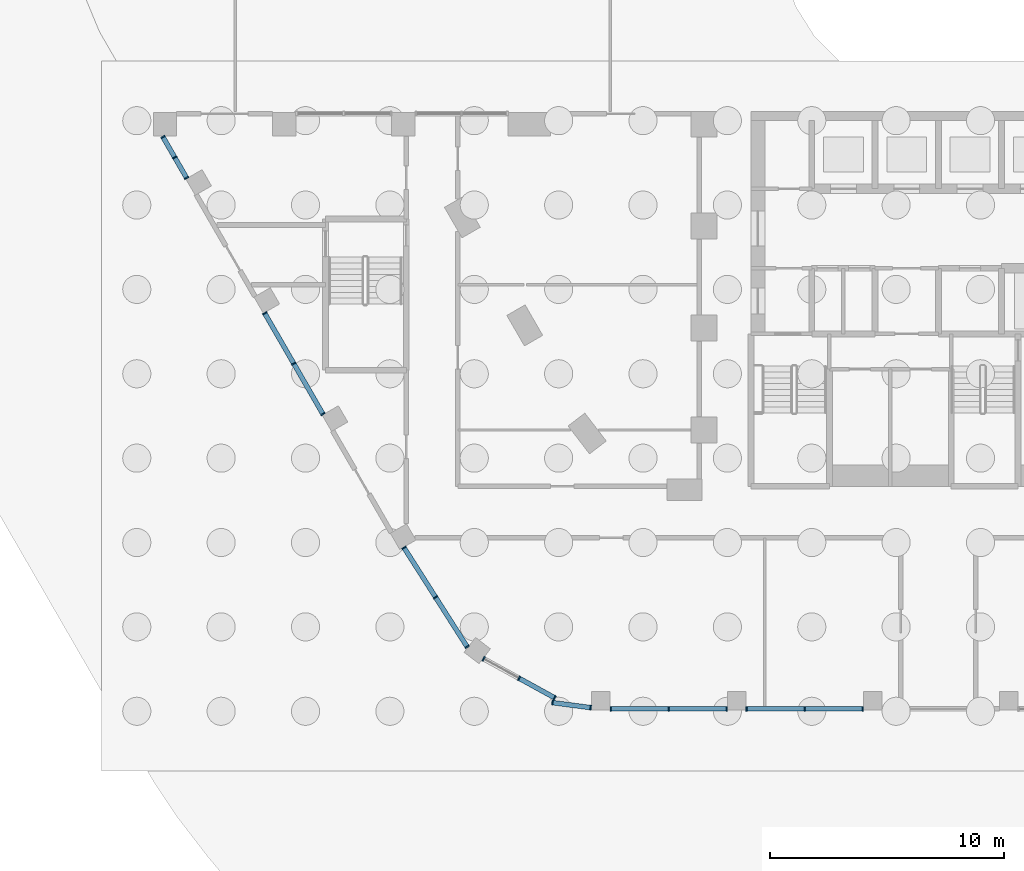
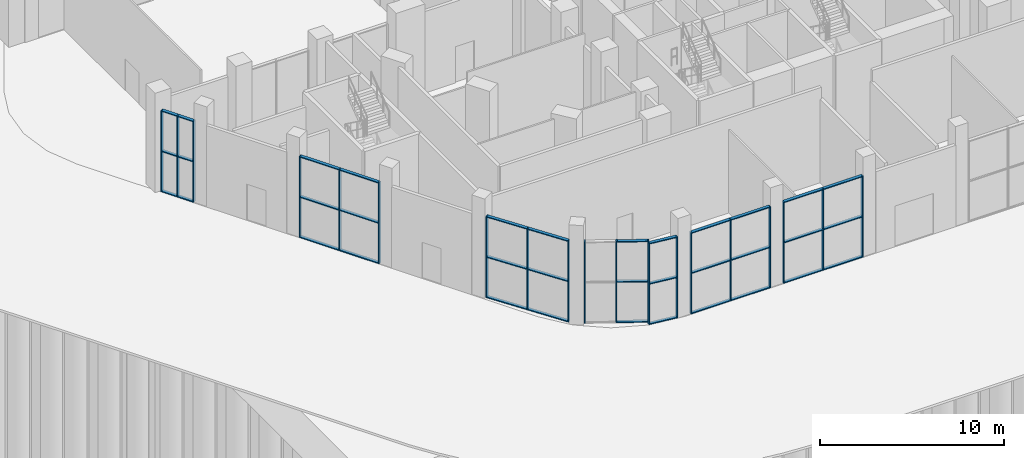
# One storey, part 8 of 44: 56 members, 7 elements without a shape of their own.
"""IFC4 building model written with IfcOpenShell, lengths in metres."""

import ifcopenshell
import ifcopenshell.guid

model = None  # the IFC model being written
_history = None  # IfcOwnerHistory: only IFC2X3 demands one
_inside = {}  # id of a spatial element -> (the spatial element, [elements in it])
_under = {}  # id of a project, library or spatial element -> (it, [spatial elements below it])
_declared = {}  # id of a project -> (the project, [libraries it declares])
_typed = {}  # id of a type object -> (the type object, [elements of that type])
_made_of = {}  # id of a material, layer set ... -> (it, [elements and type objects made of it])


def new_model(schema):
    """Start an empty IFC model of exactly this schema.

    Asked for "IFC4X3", IfcOpenShell would pick the latest addendum, in which some entities
    have other attributes; the version numbers below select the first issue.
    IFC2X3 requires an IfcOwnerHistory on every rooted entity: one is made here for all.
    """
    global model, _history
    if schema == "IFC4X3":
        model = ifcopenshell.file(schema_version=(4, 3, 0, 0))
    else:
        model = ifcopenshell.file(schema=schema)
    _inside.clear()
    _under.clear()
    _declared.clear()
    _typed.clear()
    _made_of.clear()
    _history = None
    if model.schema == "IFC2X3":
        org = make("IfcOrganization", Name="unknown")
        user = make(
            "IfcPersonAndOrganization",
            ThePerson=make("IfcPerson", FamilyName="unknown"),
            TheOrganization=org,
        )
        app = make(
            "IfcApplication",
            ApplicationDeveloper=org,
            Version="unknown",
            ApplicationFullName="unknown",
            ApplicationIdentifier="unknown",
        )
        _history = make(
            "IfcOwnerHistory",
            OwningUser=user,
            OwningApplication=app,
            ChangeAction="ADDED",
            CreationDate=0,
        )
    return model


def make(cls, **values):
    """One entity of the class cls with the attributes given. An attribute that is None is left unset."""
    return model.create_entity(
        cls, **{name: value for name, value in values.items() if value is not None}
    )


def rooted(cls, **values):
    """An entity with a GlobalId (a new one), such as an element, a storey or a relation."""
    return make(cls, GlobalId=ifcopenshell.guid.new(), OwnerHistory=_history, **values)


def si_unit(unit_type, name, prefix=None):
    """IfcSIUnit, for example si_unit("LENGTHUNIT", "METRE", prefix="MILLI")."""
    return make("IfcSIUnit", UnitType=unit_type, Prefix=prefix, Name=name)


def assignment(units):
    """IfcUnitAssignment: the units of a project."""
    return None if units is None else make("IfcUnitAssignment", Units=units)


def point(xyz):
    """IfcCartesianPoint."""
    return None if xyz is None else make("IfcCartesianPoint", Coordinates=xyz)


def direction(xyz):
    """IfcDirection."""
    return None if xyz is None else make("IfcDirection", DirectionRatios=xyz)


def frame(location, z_axis=None, x_axis=None):
    """IfcAxis2Placement3D, a coordinate frame: its origin and axes. An axis left out is left unset."""
    return make(
        "IfcAxis2Placement3D",
        Location=point(location),
        Axis=direction(z_axis),
        RefDirection=direction(x_axis),
    )


def frame_2d(location, x_axis=None):
    """IfcAxis2Placement2D, a coordinate frame in the plane: its origin and x axis."""
    return make(
        "IfcAxis2Placement2D", Location=point(location), RefDirection=direction(x_axis)
    )


def origin():
    """The frame at (0, 0, 0) with its axes left unset."""
    return frame((0.0, 0.0, 0.0))


def origin_2d():
    """The frame at (0, 0) in the plane with its x axis left unset."""
    return frame_2d((0.0, 0.0))


def place(relative_to, where):
    """IfcLocalPlacement: puts the frame where relative to a parent placement (None: the world)."""
    return make(
        "IfcLocalPlacement", PlacementRelTo=relative_to, RelativePlacement=where
    )


def context(
    kind, dimensions, precision=None, world=None, true_north=None, identifier=None
):
    """IfcGeometricRepresentationContext, for example the 3D "Model" context."""
    return make(
        "IfcGeometricRepresentationContext",
        ContextIdentifier=identifier,
        ContextType=kind,
        CoordinateSpaceDimension=dimensions,
        Precision=precision,
        WorldCoordinateSystem=world,
        TrueNorth=true_north,
    )


def subcontext(parent, identifier, kind, view, scale=None):
    """IfcGeometricRepresentationSubContext, for example "Body" below "Model"."""
    return make(
        "IfcGeometricRepresentationSubContext",
        ContextIdentifier=identifier,
        ContextType=kind,
        ParentContext=parent,
        TargetScale=scale,
        TargetView=view,
    )


def project(units=None, contexts=None):
    """IfcProject with its units and contexts."""
    return rooted(
        "IfcProject",
        Name="project",
        RepresentationContexts=contexts,
        UnitsInContext=assignment(units),
    )


def spatial(cls, under=None, at=None, **own):
    """A site, building, storey or space (cls), placed at a placement, below another one or the project."""
    s = rooted(cls, ObjectPlacement=at, **own)
    if under is not None:
        _under.setdefault(under.id(), (under, []))[1].append(s)
    return s


def profile(cls, at=None, kind="AREA", **sizes):
    """A parametric profile (cls). Its sizes go by their IFC names, for example OverallWidth=200.0."""
    return make(cls, ProfileType=kind, Position=at, **sizes)


def rectangle(**sizes):
    """IfcRectangleProfileDef."""
    return profile("IfcRectangleProfileDef", **sizes)


def extrude(swept, where, along, depth):
    """IfcExtrudedAreaSolid: the profile swept, set in the frame where, extruded along a direction by depth."""
    return make(
        "IfcExtrudedAreaSolid",
        SweptArea=swept,
        Position=where,
        ExtrudedDirection=direction(along),
        Depth=depth,
    )


def shape(context_of_items, identifier, shape_type, items):
    """IfcShapeRepresentation: the items that make up one representation, for example the "Body"."""
    return make(
        "IfcShapeRepresentation",
        ContextOfItems=context_of_items,
        RepresentationIdentifier=identifier,
        RepresentationType=shape_type,
        Items=items,
    )


def material(Name=None, Category=None):
    """IfcMaterial."""
    return make("IfcMaterial", Name=Name, Category=Category)


def layer(
    of_material, thickness, ventilated=None, Name=None, Category=None, Priority=None
):
    """IfcMaterialLayer: one layer of a wall or slab, of a material (None: an air gap)."""
    return make(
        "IfcMaterialLayer",
        Material=of_material,
        LayerThickness=thickness,
        IsVentilated=ventilated,
        Name=Name,
        Category=Category,
        Priority=Priority,
    )


def layer_set(layers, Name=None):
    """IfcMaterialLayerSet."""
    return make("IfcMaterialLayerSet", MaterialLayers=layers, LayerSetName=Name)


def material_profile(
    of_material, cross_section, Name=None, Category=None, Priority=None
):
    """IfcMaterialProfile: a cross section and its material."""
    return make(
        "IfcMaterialProfile",
        Name=Name,
        Material=of_material,
        Profile=cross_section,
        Priority=Priority,
        Category=Category,
    )


def profile_set(profiles, Name=None, composite=None):
    """IfcMaterialProfileSet."""
    return make(
        "IfcMaterialProfileSet",
        Name=Name,
        MaterialProfiles=profiles,
        CompositeProfile=composite,
    )


def made_of(thing, what):
    """Note that an element or type object is made of a material, layer set ...; save() writes the relation."""
    if what is not None:
        _made_of.setdefault(what.id(), (what, []))[1].append(thing)
    return thing


def type_object(cls, material=None, **own):
    """A type object (cls), such as IfcWallType, which elements share."""
    return made_of(rooted(cls, **own), material)


def element(
    cls,
    number,
    at=None,
    inside=None,
    cuts=None,
    type_object=None,
    material=None,
    context=None,
    identifier="Body",
    shape_type=None,
    held_by="IfcProductDefinitionShape",
    body=None,
    shapes=None,
    **own,
):
    """One element of the class cls, such as IfcWall. Its Tag is "e" and its number.

    at: its placement. inside: the storey or other place that contains it. cuts: it is an
    opening in that element (IfcRelVoidsElement). A single representation is given by context,
    identifier, shape_type and body (its items); several are given by shapes. held_by: the class
    of the entity that holds the representations. save() writes the other relations.
    """
    e = rooted(cls, Tag="e%d" % number, ObjectPlacement=at, **own)
    if body is not None:
        shapes = [shape(context, identifier, shape_type, body)]
    if shapes is not None:
        e.Representation = make(held_by, Representations=shapes)
    if inside is not None:
        _inside.setdefault(inside.id(), (inside, []))[1].append(e)
    if cuts is not None:
        rooted(
            "IfcRelVoidsElement", RelatingBuildingElement=cuts, RelatedOpeningElement=e
        )
    if type_object is not None:
        _typed.setdefault(type_object.id(), (type_object, []))[1].append(e)
    return made_of(e, material)


def aggregate(whole, parts):
    """IfcRelAggregates: a whole, such as a stair, and the parts it consists of."""
    return rooted("IfcRelAggregates", RelatingObject=whole, RelatedObjects=parts)


def save(model, path):
    """Write the relations noted so far, then the file.

    IfcRelAggregates (storeys below a building ...), IfcRelContainedInSpatialStructure (elements
    in a storey), IfcRelDefinesByType, IfcRelAssociatesMaterial and IfcRelDeclares: one each for
    every whole, place, type object, material and project.
    """
    for whole, parts in _under.values():
        aggregate(whole, parts)
    for where, things in _inside.values():
        rooted(
            "IfcRelContainedInSpatialStructure",
            RelatedElements=things,
            RelatingStructure=where,
        )
    for kind, things in _typed.values():
        rooted("IfcRelDefinesByType", RelatedObjects=things, RelatingType=kind)
    for what, things in _made_of.values():
        rooted("IfcRelAssociatesMaterial", RelatedObjects=things, RelatingMaterial=what)
    for by, libraries in _declared.values():
        rooted("IfcRelDeclares", RelatingContext=by, RelatedDefinitions=libraries)
    model.write(path)


model = new_model("IFC4")

# Units and contexts
model_context = context("Model", 3, precision=1e-05, world=origin(), true_north=direction((0.0, 1.0)))
body_context = subcontext(model_context, "Body", "Model", "MODEL_VIEW")
ifc_project = project(units=[si_unit("LENGTHUNIT", "METRE"), si_unit("AREAUNIT", "SQUARE_METRE"), si_unit("VOLUMEUNIT", "CUBIC_METRE"), si_unit("PLANEANGLEUNIT", "RADIAN"), si_unit("MASSUNIT", "GRAM", prefix="KILO")], contexts=[model_context])

# Site, building, storey
site_placement = place(None, origin())
site = spatial("IfcSite", under=ifc_project, at=site_placement, CompositionType="ELEMENT")
building_placement = place(site_placement, origin())
building = spatial("IfcBuilding", under=site, at=building_placement, Name="Nakaniwa Court", CompositionType="ELEMENT")
storey_placement = place(building_placement, origin())
storey = spatial("IfcBuildingStorey", under=building, at=storey_placement, Name="L00", CompositionType="ELEMENT", Elevation=0.0)

# Curtain wall, members
ifc_material_1 = material(Name="Black anodised aluminium frame with dark low-E laminated double glazing", Category="aluminium")
ifc_layer = layer(ifc_material_1, 0.199951171875)
ifc_layer_set = layer_set([ifc_layer], Name="Black anodised aluminium frame with dark low-E laminated double glazing")
curtain_wall_type = type_object("IfcCurtainWallType", Name="Concourse stick curtain wall", PredefinedType="NOTDEFINED", material=ifc_layer_set)
curtain_wall_1_placement = place(storey_placement, origin())
curtain_wall_1 = element("IfcCurtainWall", 1, at=curtain_wall_1_placement, inside=storey, type_object=curtain_wall_type, Name="L00 curtain wall CW2 12", PredefinedType="NOTDEFINED")
ifc_material_2 = material(Name="Black anodised aluminium extrusion", Category="aluminium")
ifc_material_profile_1 = material_profile(ifc_material_2, rectangle(XDim=0.199951171875, YDim=0.06005859375, at=origin_2d()), Name="Concourse stick curtain wall mullion 60x200")
ifc_profile_set_1 = profile_set([ifc_material_profile_1], Name="Black anodised aluminium extrusion")
member_type_1 = type_object("IfcMemberType", Name="Concourse stick curtain wall mullion 60x200", PredefinedType="MULLION", material=ifc_profile_set_1)
member_1_placement = place(storey_placement, frame((46.91650390625, 71.50244140625, 0.0), z_axis=(0.0, 0.0, 1.0), x_axis=(0.866035619435, 0.499982305557, 0.0)))
member_1 = element("IfcMember", 2, at=member_1_placement, type_object=member_type_1, Name="CW2 mullion 1", PredefinedType="MULLION", context=body_context, shape_type="SweptSolid", body=[
    extrude(rectangle(XDim=0.199951171875, YDim=0.06005859375, at=origin_2d()), origin(), (0.0, 0.0, 1.0), 5.39990234375),
])
member_2_placement = place(storey_placement, frame((47.42041015625, 70.62939453125, 0.0), z_axis=(0.0, 0.0, 1.0), x_axis=(0.866035619435, 0.499982305557, 0.0)))
member_2 = element("IfcMember", 3, at=member_2_placement, type_object=member_type_1, Name="CW2 mullion 2", PredefinedType="MULLION", context=body_context, shape_type="SweptSolid", body=[
    extrude(rectangle(XDim=0.199951171875, YDim=0.06005859375, at=origin_2d()), origin(), (0.0, 0.0, 1.0), 5.39990234375),
])
member_3_placement = place(storey_placement, frame((47.924560546875, 69.756103515625, 0.0), z_axis=(0.0, 0.0, 1.0), x_axis=(0.866035619435, 0.499982305557, 0.0)))
member_3 = element("IfcMember", 4, at=member_3_placement, type_object=member_type_1, Name="CW2 mullion 3", PredefinedType="MULLION", context=body_context, shape_type="SweptSolid", body=[
    extrude(rectangle(XDim=0.199951171875, YDim=0.06005859375, at=origin_2d()), origin(), (0.0, 0.0, 1.0), 5.39990234375),
])

curtain_wall_2_placement = place(storey_placement, origin())
curtain_wall_2 = element("IfcCurtainWall", 5, at=curtain_wall_2_placement, inside=storey, type_object=curtain_wall_type, Name="L00 curtain wall CW2 14", PredefinedType="NOTDEFINED")
member_4_placement = place(storey_placement, frame((51.259033203125, 63.98095703125, 0.0), z_axis=(0.0, 0.0, 1.0), x_axis=(0.866033799918, 0.499985457189, 0.0)))
member_4 = element("IfcMember", 6, at=member_4_placement, type_object=member_type_1, Name="CW2 mullion 1", PredefinedType="MULLION", context=body_context, shape_type="SweptSolid", body=[
    extrude(rectangle(XDim=0.199951171875, YDim=0.06005859375, at=origin_2d()), origin(), (0.0, 0.0, 1.0), 5.39990234375),
])
member_5_placement = place(storey_placement, frame((52.500244140625, 61.8310546875, 0.0), z_axis=(0.0, 0.0, 1.0), x_axis=(0.866033799918, 0.499985457189, 0.0)))
member_5 = element("IfcMember", 7, at=member_5_placement, type_object=member_type_1, Name="CW2 mullion 2", PredefinedType="MULLION", context=body_context, shape_type="SweptSolid", body=[
    extrude(rectangle(XDim=0.199951171875, YDim=0.06005859375, at=origin_2d()), origin(), (0.0, 0.0, 1.0), 5.39990234375),
])
member_6_placement = place(storey_placement, frame((53.7412109375, 59.681396484375, 0.0), z_axis=(0.0, 0.0, 1.0), x_axis=(0.866033799918, 0.499985457189, 0.0)))
member_6 = element("IfcMember", 8, at=member_6_placement, type_object=member_type_1, Name="CW2 mullion 3", PredefinedType="MULLION", context=body_context, shape_type="SweptSolid", body=[
    extrude(rectangle(XDim=0.199951171875, YDim=0.06005859375, at=origin_2d()), origin(), (0.0, 0.0, 1.0), 5.39990234375),
])

curtain_wall_3_placement = place(storey_placement, origin())
curtain_wall_3 = element("IfcCurtainWall", 9, at=curtain_wall_3_placement, inside=storey, type_object=curtain_wall_type, Name="L00 curtain wall CW2 16", PredefinedType="NOTDEFINED")
member_7_placement = place(storey_placement, frame((57.203369140625, 53.97705078125, 0.0), z_axis=(0.0, 0.0, 1.0), x_axis=(0.843438100676, 0.537226367864, 0.0)))
member_7 = element("IfcMember", 10, at=member_7_placement, type_object=member_type_1, Name="CW2 mullion 1", PredefinedType="MULLION", context=body_context, shape_type="SweptSolid", body=[
    extrude(rectangle(XDim=0.199951171875, YDim=0.06005859375, at=origin_2d()), origin(), (0.0, 0.0, 1.0), 5.39990234375),
])
member_8_placement = place(storey_placement, frame((58.54931640625, 51.864013671875, 0.0), z_axis=(0.0, 0.0, 1.0), x_axis=(0.843438100676, 0.537226367864, 0.0)))
member_8 = element("IfcMember", 11, at=member_8_placement, type_object=member_type_1, Name="CW2 mullion 2", PredefinedType="MULLION", context=body_context, shape_type="SweptSolid", body=[
    extrude(rectangle(XDim=0.199951171875, YDim=0.06005859375, at=origin_2d()), origin(), (0.0, 0.0, 1.0), 5.39990234375),
])
member_9_placement = place(storey_placement, frame((59.895263671875, 49.7509765625, 0.0), z_axis=(0.0, 0.0, 1.0), x_axis=(0.843438100676, 0.537226367864, 0.0)))
member_9 = element("IfcMember", 12, at=member_9_placement, type_object=member_type_1, Name="CW2 mullion 3", PredefinedType="MULLION", context=body_context, shape_type="SweptSolid", body=[
    extrude(rectangle(XDim=0.199951171875, YDim=0.06005859375, at=origin_2d()), origin(), (0.0, 0.0, 1.0), 5.39990234375),
])

curtain_wall_4_placement = place(storey_placement, origin())
curtain_wall_4 = element("IfcCurtainWall", 13, at=curtain_wall_4_placement, inside=storey, type_object=curtain_wall_type, Name="L00 curtain wall CW2 17", PredefinedType="NOTDEFINED")
member_10_placement = place(storey_placement, frame((60.602783203125, 49.236328125, 0.0), z_axis=(0.0, 0.0, 1.0), x_axis=(0.481424452617, 0.87648759057, 0.0)))
member_10 = element("IfcMember", 14, at=member_10_placement, type_object=member_type_1, Name="CW2 mullion 1", PredefinedType="MULLION", context=body_context, shape_type="SweptSolid", body=[
    extrude(rectangle(XDim=0.199951171875, YDim=0.06005859375, at=origin_2d()), origin(), (0.0, 0.0, 1.0), 5.39990234375),
])
member_11_placement = place(storey_placement, frame((62.115234375, 48.405517578125, 0.0), z_axis=(0.0, 0.0, 1.0), x_axis=(0.481424452617, 0.87648759057, 0.0)))
member_11 = element("IfcMember", 15, at=member_11_placement, type_object=member_type_1, Name="CW2 mullion 2", PredefinedType="MULLION", context=body_context, shape_type="SweptSolid", body=[
    extrude(rectangle(XDim=0.199951171875, YDim=0.06005859375, at=origin_2d()), origin(), (0.0, 0.0, 1.0), 5.39990234375),
])
member_12_placement = place(storey_placement, frame((63.62744140625, 47.574951171875, 0.0), z_axis=(0.0, 0.0, 1.0), x_axis=(0.481424452617, 0.87648759057, 0.0)))
member_12 = element("IfcMember", 16, at=member_12_placement, type_object=member_type_1, Name="CW2 mullion 3", PredefinedType="MULLION", context=body_context, shape_type="SweptSolid", body=[
    extrude(rectangle(XDim=0.199951171875, YDim=0.06005859375, at=origin_2d()), origin(), (0.0, 0.0, 1.0), 5.39990234375),
])

curtain_wall_5_placement = place(storey_placement, origin())
curtain_wall_5 = element("IfcCurtainWall", 17, at=curtain_wall_5_placement, inside=storey, type_object=curtain_wall_type, Name="L00 curtain wall CW2 18", PredefinedType="NOTDEFINED")
member_13_placement = place(storey_placement, frame((63.53857421875, 47.36767578125, 0.0), z_axis=(0.0, 0.0, 1.0), x_axis=(0.13055195785, 0.991441468924, 0.0)))
member_13 = element("IfcMember", 18, at=member_13_placement, type_object=member_type_1, Name="CW2 mullion 1", PredefinedType="MULLION", context=body_context, shape_type="SweptSolid", body=[
    extrude(rectangle(XDim=0.199951171875, YDim=0.06005859375, at=origin_2d()), origin(), (0.0, 0.0, 1.0), 5.39990234375),
])
member_14_placement = place(storey_placement, frame((65.16357421875, 47.15380859375, 0.0), z_axis=(0.0, 0.0, 1.0), x_axis=(0.13055195785, 0.991441468924, 0.0)))
member_14 = element("IfcMember", 19, at=member_14_placement, type_object=member_type_1, Name="CW2 mullion 2", PredefinedType="MULLION", context=body_context, shape_type="SweptSolid", body=[
    extrude(rectangle(XDim=0.199951171875, YDim=0.06005859375, at=origin_2d()), origin(), (0.0, 0.0, 1.0), 5.39990234375),
])

curtain_wall_6_placement = place(storey_placement, origin())
curtain_wall_6 = element("IfcCurtainWall", 20, at=curtain_wall_6_placement, inside=storey, type_object=curtain_wall_type, Name="L00 curtain wall CW2 19", PredefinedType="NOTDEFINED")
member_15_placement = place(storey_placement, frame((66.021728515625, 47.10009765625, 0.0), z_axis=(0.0, 0.0, 1.0), x_axis=(0.0, 1.0, 0.0)))
member_15 = element("IfcMember", 21, at=member_15_placement, type_object=member_type_1, Name="CW2 mullion 1", PredefinedType="MULLION", context=body_context, shape_type="SweptSolid", body=[
    extrude(rectangle(XDim=0.199951171875, YDim=0.06005859375, at=origin_2d()), origin(), (0.0, 0.0, 1.0), 5.39990234375),
])
member_16_placement = place(storey_placement, frame((68.496826171875, 47.10009765625, 0.0), z_axis=(0.0, 0.0, 1.0), x_axis=(0.0, 1.0, 0.0)))
member_16 = element("IfcMember", 22, at=member_16_placement, type_object=member_type_1, Name="CW2 mullion 2", PredefinedType="MULLION", context=body_context, shape_type="SweptSolid", body=[
    extrude(rectangle(XDim=0.199951171875, YDim=0.06005859375, at=origin_2d()), origin(), (0.0, 0.0, 1.0), 5.39990234375),
])
member_17_placement = place(storey_placement, frame((70.971923828125, 47.10009765625, 0.0), z_axis=(0.0, 0.0, 1.0), x_axis=(0.0, 1.0, 0.0)))
member_17 = element("IfcMember", 23, at=member_17_placement, type_object=member_type_1, Name="CW2 mullion 3", PredefinedType="MULLION", context=body_context, shape_type="SweptSolid", body=[
    extrude(rectangle(XDim=0.199951171875, YDim=0.06005859375, at=origin_2d()), origin(), (0.0, 0.0, 1.0), 5.39990234375),
])

curtain_wall_7_placement = place(storey_placement, origin())
curtain_wall_7 = element("IfcCurtainWall", 24, at=curtain_wall_7_placement, inside=storey, type_object=curtain_wall_type, Name="L00 curtain wall CW2 20", PredefinedType="NOTDEFINED")
member_18_placement = place(storey_placement, frame((71.823974609375, 47.10009765625, 0.0), z_axis=(0.0, 0.0, 1.0), x_axis=(0.0, 1.0, 0.0)))
member_18 = element("IfcMember", 25, at=member_18_placement, type_object=member_type_1, Name="CW2 mullion 1", PredefinedType="MULLION", context=body_context, shape_type="SweptSolid", body=[
    extrude(rectangle(XDim=0.199951171875, YDim=0.06005859375, at=origin_2d()), origin(), (0.0, 0.0, 1.0), 5.39990234375),
])
member_19_placement = place(storey_placement, frame((74.299072265625, 47.10009765625, 0.0), z_axis=(0.0, 0.0, 1.0), x_axis=(0.0, 1.0, 0.0)))
member_19 = element("IfcMember", 26, at=member_19_placement, type_object=member_type_1, Name="CW2 mullion 2", PredefinedType="MULLION", context=body_context, shape_type="SweptSolid", body=[
    extrude(rectangle(XDim=0.199951171875, YDim=0.06005859375, at=origin_2d()), origin(), (0.0, 0.0, 1.0), 5.39990234375),
])
member_20_placement = place(storey_placement, frame((76.7744140625, 47.10009765625, 0.0), z_axis=(0.0, 0.0, 1.0), x_axis=(0.0, 1.0, 0.0)))
member_20 = element("IfcMember", 27, at=member_20_placement, type_object=member_type_1, Name="CW2 mullion 3", PredefinedType="MULLION", context=body_context, shape_type="SweptSolid", body=[
    extrude(rectangle(XDim=0.199951171875, YDim=0.06005859375, at=origin_2d()), origin(), (0.0, 0.0, 1.0), 5.39990234375),
])

# Member
ifc_material_profile_2 = material_profile(ifc_material_2, rectangle(XDim=0.199951171875, YDim=0.06005859375, at=origin_2d()), Name="Concourse stick curtain wall transom 60x200")
ifc_profile_set_2 = profile_set([ifc_material_profile_2], Name="Black anodised aluminium extrusion")
member_type_2 = type_object("IfcMemberType", Name="Concourse stick curtain wall transom 60x200", PredefinedType="USERDEFINED", material=ifc_profile_set_2)
member_21_placement = place(storey_placement, frame((46.931396484375, 71.4765625, 0.030029296875), z_axis=(0.499960165064, -0.866048401274, 0.0), x_axis=(0.866048401274, 0.499960165064, 0.0)))
member_21 = element("IfcMember", 28, at=member_21_placement, type_object=member_type_2, Name="CW2 transom 1.1", ObjectType="TRANSOM", PredefinedType="USERDEFINED", context=body_context, shape_type="SweptSolid", body=[
    extrude(rectangle(XDim=0.199951171875, YDim=0.06005859375, at=origin_2d()), origin(), (0.0, 0.0, 1.0), 0.9482421875),
])

member_22_placement = place(storey_placement, frame((46.931396484375, 71.4765625, 2.699951171875), z_axis=(0.499960165064, -0.866048401274, 0.0), x_axis=(0.866048401274, 0.499960165064, 0.0)))
member_22 = element("IfcMember", 29, at=member_22_placement, type_object=member_type_2, Name="CW2 transom 1.2", ObjectType="TRANSOM", PredefinedType="USERDEFINED", context=body_context, shape_type="SweptSolid", body=[
    extrude(rectangle(XDim=0.199951171875, YDim=0.06005859375, at=origin_2d()), origin(), (0.0, 0.0, 1.0), 0.9482421875),
])

member_23_placement = place(storey_placement, frame((46.931396484375, 71.4765625, 5.3701171875), z_axis=(0.499960165064, -0.866048401274, 0.0), x_axis=(0.866048401274, 0.499960165064, 0.0)))
member_23 = element("IfcMember", 30, at=member_23_placement, type_object=member_type_2, Name="CW2 transom 1.3", ObjectType="TRANSOM", PredefinedType="USERDEFINED", context=body_context, shape_type="SweptSolid", body=[
    extrude(rectangle(XDim=0.199951171875, YDim=0.06005859375, at=origin_2d()), origin(), (0.0, 0.0, 1.0), 0.9482421875),
])

member_24_placement = place(storey_placement, frame((47.435546875, 70.603271484375, 0.030029296875), z_axis=(0.500071657253, -0.865984028497, 0.0), x_axis=(0.865984028497, 0.500071657253, 0.0)))
member_24 = element("IfcMember", 31, at=member_24_placement, type_object=member_type_2, Name="CW2 transom 2.1", ObjectType="TRANSOM", PredefinedType="USERDEFINED", context=body_context, shape_type="SweptSolid", body=[
    extrude(rectangle(XDim=0.199951171875, YDim=0.06005859375, at=origin_2d()), origin(), (0.0, 0.0, 1.0), 0.947998046875),
])

member_25_placement = place(storey_placement, frame((47.435546875, 70.603271484375, 2.699951171875), z_axis=(0.500071657253, -0.865984028497, 0.0), x_axis=(0.865984028497, 0.500071657253, 0.0)))
member_25 = element("IfcMember", 32, at=member_25_placement, type_object=member_type_2, Name="CW2 transom 2.2", ObjectType="TRANSOM", PredefinedType="USERDEFINED", context=body_context, shape_type="SweptSolid", body=[
    extrude(rectangle(XDim=0.199951171875, YDim=0.06005859375, at=origin_2d()), origin(), (0.0, 0.0, 1.0), 0.947998046875),
])

member_26_placement = place(storey_placement, frame((47.435546875, 70.603271484375, 5.3701171875), z_axis=(0.500071657253, -0.865984028497, 0.0), x_axis=(0.865984028497, 0.500071657253, 0.0)))
member_26 = element("IfcMember", 33, at=member_26_placement, type_object=member_type_2, Name="CW2 transom 2.3", ObjectType="TRANSOM", PredefinedType="USERDEFINED", context=body_context, shape_type="SweptSolid", body=[
    extrude(rectangle(XDim=0.199951171875, YDim=0.06005859375, at=origin_2d()), origin(), (0.0, 0.0, 1.0), 0.947998046875),
])

aggregate(curtain_wall_1, [member_1, member_2, member_3, member_21, member_22, member_23, member_24, member_25, member_26])

member_27_placement = place(storey_placement, frame((51.27392578125, 63.954833984375, 0.030029296875), z_axis=(0.500030727772, -0.86600766237, 0.0), x_axis=(0.86600766237, 0.500030727772, 0.0)))
member_27 = element("IfcMember", 34, at=member_27_placement, type_object=member_type_2, Name="CW2 transom 1.1", ObjectType="TRANSOM", PredefinedType="USERDEFINED", context=body_context, shape_type="SweptSolid", body=[
    extrude(rectangle(XDim=0.199951171875, YDim=0.06005859375, at=origin_2d()), origin(), (0.0, 0.0, 1.0), 2.422119140625),
])

member_28_placement = place(storey_placement, frame((51.27392578125, 63.954833984375, 2.699951171875), z_axis=(0.500030727772, -0.86600766237, 0.0), x_axis=(0.86600766237, 0.500030727772, 0.0)))
member_28 = element("IfcMember", 35, at=member_28_placement, type_object=member_type_2, Name="CW2 transom 1.2", ObjectType="TRANSOM", PredefinedType="USERDEFINED", context=body_context, shape_type="SweptSolid", body=[
    extrude(rectangle(XDim=0.199951171875, YDim=0.06005859375, at=origin_2d()), origin(), (0.0, 0.0, 1.0), 2.422119140625),
])

member_29_placement = place(storey_placement, frame((51.27392578125, 63.954833984375, 5.3701171875), z_axis=(0.500030727772, -0.86600766237, 0.0), x_axis=(0.86600766237, 0.500030727772, 0.0)))
member_29 = element("IfcMember", 36, at=member_29_placement, type_object=member_type_2, Name="CW2 transom 1.3", ObjectType="TRANSOM", PredefinedType="USERDEFINED", context=body_context, shape_type="SweptSolid", body=[
    extrude(rectangle(XDim=0.199951171875, YDim=0.06005859375, at=origin_2d()), origin(), (0.0, 0.0, 1.0), 2.422119140625),
])

member_30_placement = place(storey_placement, frame((52.51513671875, 61.80517578125, 0.030029296875), z_axis=(0.499987084801, -0.866032860249, 0.0), x_axis=(0.866032860249, 0.499987084801, 0.0)))
member_30 = element("IfcMember", 37, at=member_30_placement, type_object=member_type_2, Name="CW2 transom 2.1", ObjectType="TRANSOM", PredefinedType="USERDEFINED", context=body_context, shape_type="SweptSolid", body=[
    extrude(rectangle(XDim=0.199951171875, YDim=0.06005859375, at=origin_2d()), origin(), (0.0, 0.0, 1.0), 2.42236328125),
])

member_31_placement = place(storey_placement, frame((52.51513671875, 61.80517578125, 2.699951171875), z_axis=(0.499987084801, -0.866032860249, 0.0), x_axis=(0.866032860249, 0.499987084801, 0.0)))
member_31 = element("IfcMember", 38, at=member_31_placement, type_object=member_type_2, Name="CW2 transom 2.2", ObjectType="TRANSOM", PredefinedType="USERDEFINED", context=body_context, shape_type="SweptSolid", body=[
    extrude(rectangle(XDim=0.199951171875, YDim=0.06005859375, at=origin_2d()), origin(), (0.0, 0.0, 1.0), 2.42236328125),
])

member_32_placement = place(storey_placement, frame((52.51513671875, 61.80517578125, 5.3701171875), z_axis=(0.499987084801, -0.866032860249, 0.0), x_axis=(0.866032860249, 0.499987084801, 0.0)))
member_32 = element("IfcMember", 39, at=member_32_placement, type_object=member_type_2, Name="CW2 transom 2.3", ObjectType="TRANSOM", PredefinedType="USERDEFINED", context=body_context, shape_type="SweptSolid", body=[
    extrude(rectangle(XDim=0.199951171875, YDim=0.06005859375, at=origin_2d()), origin(), (0.0, 0.0, 1.0), 2.42236328125),
])

aggregate(curtain_wall_2, [member_4, member_5, member_6, member_27, member_28, member_29, member_30, member_31, member_32])

member_33_placement = place(storey_placement, frame((57.219482421875, 53.951904296875, 0.030029296875), z_axis=(0.537230752041, -0.843435308166, 0.0), x_axis=(0.843435308166, 0.537230752041, 0.0)))
member_33 = element("IfcMember", 40, at=member_33_placement, type_object=member_type_2, Name="CW2 transom 1.1", ObjectType="TRANSOM", PredefinedType="USERDEFINED", context=body_context, shape_type="SweptSolid", body=[
    extrude(rectangle(XDim=0.199951171875, YDim=0.06005859375, at=origin_2d()), origin(), (0.0, 0.0, 1.0), 2.4453125),
])

member_34_placement = place(storey_placement, frame((57.219482421875, 53.951904296875, 2.699951171875), z_axis=(0.537230752041, -0.843435308166, 0.0), x_axis=(0.843435308166, 0.537230752041, 0.0)))
member_34 = element("IfcMember", 41, at=member_34_placement, type_object=member_type_2, Name="CW2 transom 1.2", ObjectType="TRANSOM", PredefinedType="USERDEFINED", context=body_context, shape_type="SweptSolid", body=[
    extrude(rectangle(XDim=0.199951171875, YDim=0.06005859375, at=origin_2d()), origin(), (0.0, 0.0, 1.0), 2.4453125),
])

member_35_placement = place(storey_placement, frame((57.219482421875, 53.951904296875, 5.3701171875), z_axis=(0.537230752041, -0.843435308166, 0.0), x_axis=(0.843435308166, 0.537230752041, 0.0)))
member_35 = element("IfcMember", 42, at=member_35_placement, type_object=member_type_2, Name="CW2 transom 1.3", ObjectType="TRANSOM", PredefinedType="USERDEFINED", context=body_context, shape_type="SweptSolid", body=[
    extrude(rectangle(XDim=0.199951171875, YDim=0.06005859375, at=origin_2d()), origin(), (0.0, 0.0, 1.0), 2.4453125),
])

member_36_placement = place(storey_placement, frame((58.5654296875, 51.838623046875, 0.030029296875), z_axis=(0.537230752041, -0.843435308166, 0.0), x_axis=(0.843435308166, 0.537230752041, 0.0)))
member_36 = element("IfcMember", 43, at=member_36_placement, type_object=member_type_2, Name="CW2 transom 2.1", ObjectType="TRANSOM", PredefinedType="USERDEFINED", context=body_context, shape_type="SweptSolid", body=[
    extrude(rectangle(XDim=0.199951171875, YDim=0.06005859375, at=origin_2d()), origin(), (0.0, 0.0, 1.0), 2.4453125),
])

member_37_placement = place(storey_placement, frame((58.5654296875, 51.838623046875, 2.699951171875), z_axis=(0.537230752041, -0.843435308166, 0.0), x_axis=(0.843435308166, 0.537230752041, 0.0)))
member_37 = element("IfcMember", 44, at=member_37_placement, type_object=member_type_2, Name="CW2 transom 2.2", ObjectType="TRANSOM", PredefinedType="USERDEFINED", context=body_context, shape_type="SweptSolid", body=[
    extrude(rectangle(XDim=0.199951171875, YDim=0.06005859375, at=origin_2d()), origin(), (0.0, 0.0, 1.0), 2.4453125),
])

member_38_placement = place(storey_placement, frame((58.5654296875, 51.838623046875, 5.3701171875), z_axis=(0.537230752041, -0.843435308166, 0.0), x_axis=(0.843435308166, 0.537230752041, 0.0)))
member_38 = element("IfcMember", 45, at=member_38_placement, type_object=member_type_2, Name="CW2 transom 2.3", ObjectType="TRANSOM", PredefinedType="USERDEFINED", context=body_context, shape_type="SweptSolid", body=[
    extrude(rectangle(XDim=0.199951171875, YDim=0.06005859375, at=origin_2d()), origin(), (0.0, 0.0, 1.0), 2.4453125),
])

aggregate(curtain_wall_3, [member_7, member_8, member_9, member_33, member_34, member_35, member_36, member_37, member_38])

member_39_placement = place(storey_placement, frame((62.1416015625, 48.39111328125, 0.030029296875), z_axis=(0.876491228991, -0.4814178284, 0.0), x_axis=(0.4814178284, 0.876491228991, 0.0)))
member_39 = element("IfcMember", 46, at=member_39_placement, type_object=member_type_2, Name="CW2 transom 2.1", ObjectType="TRANSOM", PredefinedType="USERDEFINED", context=body_context, shape_type="SweptSolid", body=[
    extrude(rectangle(XDim=0.199951171875, YDim=0.06005859375, at=origin_2d()), origin(), (0.0, 0.0, 1.0), 1.66552734375),
])

member_40_placement = place(storey_placement, frame((62.1416015625, 48.39111328125, 2.699951171875), z_axis=(0.876491228991, -0.4814178284, 0.0), x_axis=(0.4814178284, 0.876491228991, 0.0)))
member_40 = element("IfcMember", 47, at=member_40_placement, type_object=member_type_2, Name="CW2 transom 2.2", ObjectType="TRANSOM", PredefinedType="USERDEFINED", context=body_context, shape_type="SweptSolid", body=[
    extrude(rectangle(XDim=0.199951171875, YDim=0.06005859375, at=origin_2d()), origin(), (0.0, 0.0, 1.0), 1.66552734375),
])

member_41_placement = place(storey_placement, frame((62.1416015625, 48.39111328125, 5.3701171875), z_axis=(0.876491228991, -0.4814178284, 0.0), x_axis=(0.4814178284, 0.876491228991, 0.0)))
member_41 = element("IfcMember", 48, at=member_41_placement, type_object=member_type_2, Name="CW2 transom 2.3", ObjectType="TRANSOM", PredefinedType="USERDEFINED", context=body_context, shape_type="SweptSolid", body=[
    extrude(rectangle(XDim=0.199951171875, YDim=0.06005859375, at=origin_2d()), origin(), (0.0, 0.0, 1.0), 1.66552734375),
])

aggregate(curtain_wall_4, [member_10, member_11, member_12, member_39, member_40, member_41])

member_42_placement = place(storey_placement, frame((63.568359375, 47.36376953125, 0.030029296875), z_axis=(0.991447978908, -0.130502510012, 0.0), x_axis=(0.130502510012, 0.991447978908, 0.0)))
member_42 = element("IfcMember", 49, at=member_42_placement, type_object=member_type_2, Name="CW2 transom 1.1", ObjectType="TRANSOM", PredefinedType="USERDEFINED", context=body_context, shape_type="SweptSolid", body=[
    extrude(rectangle(XDim=0.199951171875, YDim=0.06005859375, at=origin_2d()), origin(), (0.0, 0.0, 1.0), 1.578857421875),
])

member_43_placement = place(storey_placement, frame((63.568359375, 47.36376953125, 2.699951171875), z_axis=(0.991447978908, -0.130502510012, 0.0), x_axis=(0.130502510012, 0.991447978908, 0.0)))
member_43 = element("IfcMember", 50, at=member_43_placement, type_object=member_type_2, Name="CW2 transom 1.2", ObjectType="TRANSOM", PredefinedType="USERDEFINED", context=body_context, shape_type="SweptSolid", body=[
    extrude(rectangle(XDim=0.199951171875, YDim=0.06005859375, at=origin_2d()), origin(), (0.0, 0.0, 1.0), 1.578857421875),
])

member_44_placement = place(storey_placement, frame((63.568359375, 47.36376953125, 5.3701171875), z_axis=(0.991447978908, -0.130502510012, 0.0), x_axis=(0.130502510012, 0.991447978908, 0.0)))
member_44 = element("IfcMember", 51, at=member_44_placement, type_object=member_type_2, Name="CW2 transom 1.3", ObjectType="TRANSOM", PredefinedType="USERDEFINED", context=body_context, shape_type="SweptSolid", body=[
    extrude(rectangle(XDim=0.199951171875, YDim=0.06005859375, at=origin_2d()), origin(), (0.0, 0.0, 1.0), 1.578857421875),
])

aggregate(curtain_wall_5, [member_13, member_14, member_42, member_43, member_44])

member_45_placement = place(storey_placement, frame((66.0517578125, 47.10009765625, 0.030029296875), z_axis=(1.0, 0.0, 0.0), x_axis=(0.0, 1.0, 0.0)))
member_45 = element("IfcMember", 52, at=member_45_placement, type_object=member_type_2, Name="CW2 transom 1.1", ObjectType="TRANSOM", PredefinedType="USERDEFINED", context=body_context, shape_type="SweptSolid", body=[
    extrude(rectangle(XDim=0.199951171875, YDim=0.06005859375, at=origin_2d()), origin(), (0.0, 0.0, 1.0), 2.4150390625),
])

member_46_placement = place(storey_placement, frame((66.0517578125, 47.10009765625, 2.699951171875), z_axis=(1.0, 0.0, 0.0), x_axis=(0.0, 1.0, 0.0)))
member_46 = element("IfcMember", 53, at=member_46_placement, type_object=member_type_2, Name="CW2 transom 1.2", ObjectType="TRANSOM", PredefinedType="USERDEFINED", context=body_context, shape_type="SweptSolid", body=[
    extrude(rectangle(XDim=0.199951171875, YDim=0.06005859375, at=origin_2d()), origin(), (0.0, 0.0, 1.0), 2.4150390625),
])

member_47_placement = place(storey_placement, frame((66.0517578125, 47.10009765625, 5.3701171875), z_axis=(1.0, 0.0, 0.0), x_axis=(0.0, 1.0, 0.0)))
member_47 = element("IfcMember", 54, at=member_47_placement, type_object=member_type_2, Name="CW2 transom 1.3", ObjectType="TRANSOM", PredefinedType="USERDEFINED", context=body_context, shape_type="SweptSolid", body=[
    extrude(rectangle(XDim=0.199951171875, YDim=0.06005859375, at=origin_2d()), origin(), (0.0, 0.0, 1.0), 2.4150390625),
])

member_48_placement = place(storey_placement, frame((68.52685546875, 47.10009765625, 0.030029296875), z_axis=(1.0, 0.0, 0.0), x_axis=(0.0, 1.0, 0.0)))
member_48 = element("IfcMember", 55, at=member_48_placement, type_object=member_type_2, Name="CW2 transom 2.1", ObjectType="TRANSOM", PredefinedType="USERDEFINED", context=body_context, shape_type="SweptSolid", body=[
    extrude(rectangle(XDim=0.199951171875, YDim=0.06005859375, at=origin_2d()), origin(), (0.0, 0.0, 1.0), 2.4150390625),
])

member_49_placement = place(storey_placement, frame((68.52685546875, 47.10009765625, 2.699951171875), z_axis=(1.0, 0.0, 0.0), x_axis=(0.0, 1.0, 0.0)))
member_49 = element("IfcMember", 56, at=member_49_placement, type_object=member_type_2, Name="CW2 transom 2.2", ObjectType="TRANSOM", PredefinedType="USERDEFINED", context=body_context, shape_type="SweptSolid", body=[
    extrude(rectangle(XDim=0.199951171875, YDim=0.06005859375, at=origin_2d()), origin(), (0.0, 0.0, 1.0), 2.4150390625),
])

member_50_placement = place(storey_placement, frame((68.52685546875, 47.10009765625, 5.3701171875), z_axis=(1.0, 0.0, 0.0), x_axis=(0.0, 1.0, 0.0)))
member_50 = element("IfcMember", 57, at=member_50_placement, type_object=member_type_2, Name="CW2 transom 2.3", ObjectType="TRANSOM", PredefinedType="USERDEFINED", context=body_context, shape_type="SweptSolid", body=[
    extrude(rectangle(XDim=0.199951171875, YDim=0.06005859375, at=origin_2d()), origin(), (0.0, 0.0, 1.0), 2.4150390625),
])

aggregate(curtain_wall_6, [member_15, member_16, member_17, member_45, member_46, member_47, member_48, member_49, member_50])

member_51_placement = place(storey_placement, frame((71.85400390625, 47.10009765625, 0.030029296875), z_axis=(1.0, 0.0, 0.0), x_axis=(0.0, 1.0, 0.0)))
member_51 = element("IfcMember", 58, at=member_51_placement, type_object=member_type_2, Name="CW2 transom 1.1", ObjectType="TRANSOM", PredefinedType="USERDEFINED", context=body_context, shape_type="SweptSolid", body=[
    extrude(rectangle(XDim=0.199951171875, YDim=0.06005859375, at=origin_2d()), origin(), (0.0, 0.0, 1.0), 2.4150390625),
])

member_52_placement = place(storey_placement, frame((71.85400390625, 47.10009765625, 2.699951171875), z_axis=(1.0, 0.0, 0.0), x_axis=(0.0, 1.0, 0.0)))
member_52 = element("IfcMember", 59, at=member_52_placement, type_object=member_type_2, Name="CW2 transom 1.2", ObjectType="TRANSOM", PredefinedType="USERDEFINED", context=body_context, shape_type="SweptSolid", body=[
    extrude(rectangle(XDim=0.199951171875, YDim=0.06005859375, at=origin_2d()), origin(), (0.0, 0.0, 1.0), 2.4150390625),
])

member_53_placement = place(storey_placement, frame((71.85400390625, 47.10009765625, 5.3701171875), z_axis=(1.0, 0.0, 0.0), x_axis=(0.0, 1.0, 0.0)))
member_53 = element("IfcMember", 60, at=member_53_placement, type_object=member_type_2, Name="CW2 transom 1.3", ObjectType="TRANSOM", PredefinedType="USERDEFINED", context=body_context, shape_type="SweptSolid", body=[
    extrude(rectangle(XDim=0.199951171875, YDim=0.06005859375, at=origin_2d()), origin(), (0.0, 0.0, 1.0), 2.4150390625),
])

member_54_placement = place(storey_placement, frame((74.3291015625, 47.10009765625, 0.030029296875), z_axis=(1.0, 0.0, 0.0), x_axis=(0.0, 1.0, 0.0)))
member_54 = element("IfcMember", 61, at=member_54_placement, type_object=member_type_2, Name="CW2 transom 2.1", ObjectType="TRANSOM", PredefinedType="USERDEFINED", context=body_context, shape_type="SweptSolid", body=[
    extrude(rectangle(XDim=0.199951171875, YDim=0.06005859375, at=origin_2d()), origin(), (0.0, 0.0, 1.0), 2.415283203125),
])

member_55_placement = place(storey_placement, frame((74.3291015625, 47.10009765625, 2.699951171875), z_axis=(1.0, 0.0, 0.0), x_axis=(0.0, 1.0, 0.0)))
member_55 = element("IfcMember", 62, at=member_55_placement, type_object=member_type_2, Name="CW2 transom 2.2", ObjectType="TRANSOM", PredefinedType="USERDEFINED", context=body_context, shape_type="SweptSolid", body=[
    extrude(rectangle(XDim=0.199951171875, YDim=0.06005859375, at=origin_2d()), origin(), (0.0, 0.0, 1.0), 2.415283203125),
])

member_56_placement = place(storey_placement, frame((74.3291015625, 47.10009765625, 5.3701171875), z_axis=(1.0, 0.0, 0.0), x_axis=(0.0, 1.0, 0.0)))
member_56 = element("IfcMember", 63, at=member_56_placement, type_object=member_type_2, Name="CW2 transom 2.3", ObjectType="TRANSOM", PredefinedType="USERDEFINED", context=body_context, shape_type="SweptSolid", body=[
    extrude(rectangle(XDim=0.199951171875, YDim=0.06005859375, at=origin_2d()), origin(), (0.0, 0.0, 1.0), 2.415283203125),
])

aggregate(curtain_wall_7, [member_18, member_19, member_20, member_51, member_52, member_53, member_54, member_55, member_56])

save(model, "model.ifc")
